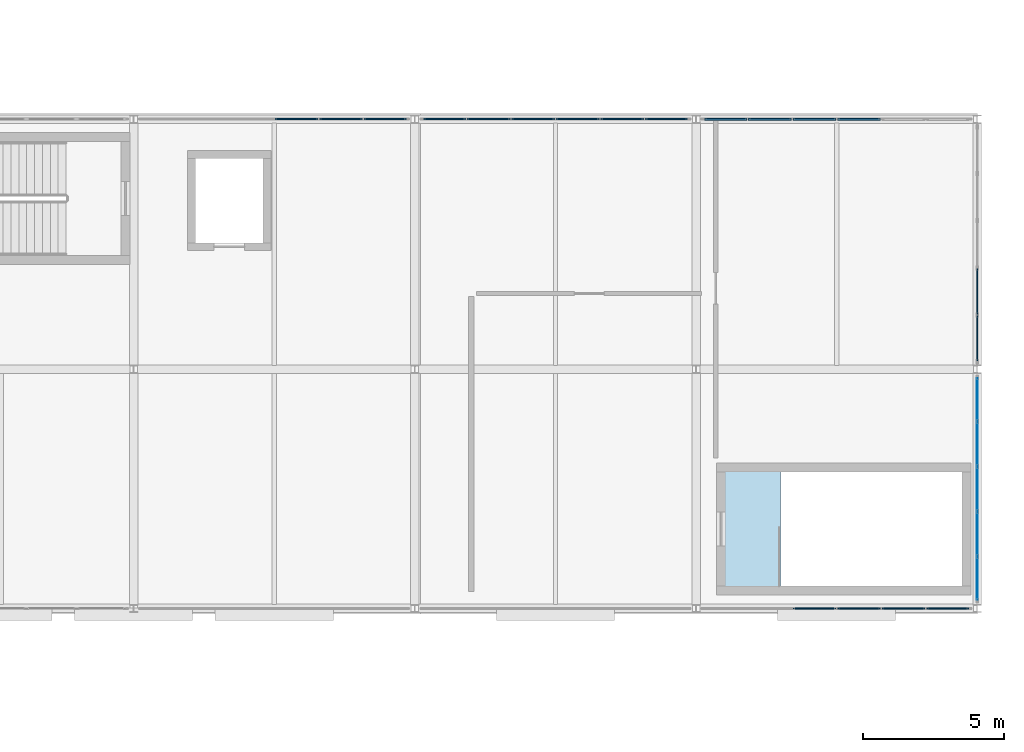
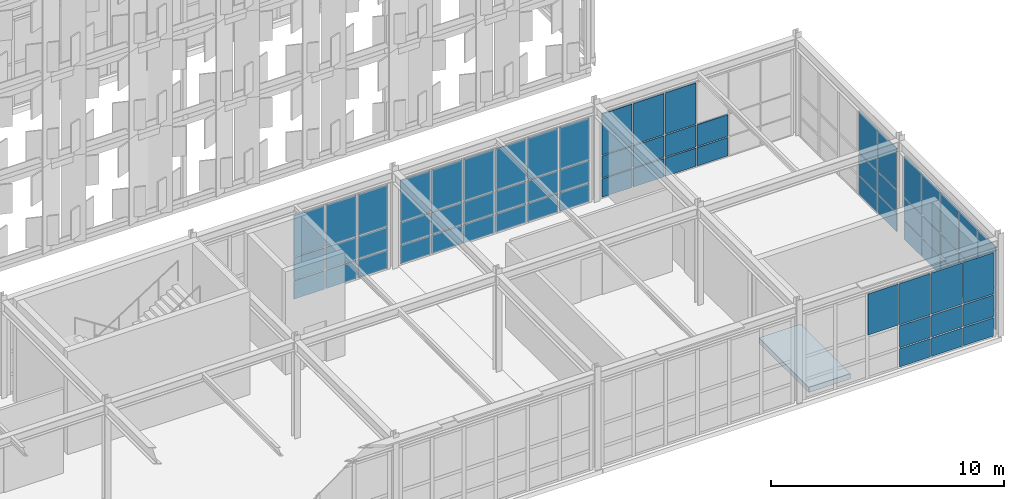
# One storey, part 193 of 239: 69 plates, 1 slab, 6 elements without a shape of their own.
"""IFC4 building model written with IfcOpenShell, lengths in metres."""

from ifc_helpers import new_model, si_unit, direction, frame, origin, origin_2d, place, context, subcontext, project, spatial, polyline, rectangle, outline, extrude, material, layer, layer_set, type_object, element, aggregate, save


model = new_model("IFC4")

# Units and contexts
model_context = context("Model", 3, precision=1e-05, world=origin(), true_north=direction((0.0, 1.0)))
body_context = subcontext(model_context, "Body", "Model", "MODEL_VIEW")
ifc_project = project(units=[si_unit("LENGTHUNIT", "METRE"), si_unit("AREAUNIT", "SQUARE_METRE"), si_unit("VOLUMEUNIT", "CUBIC_METRE"), si_unit("PLANEANGLEUNIT", "RADIAN"), si_unit("MASSUNIT", "GRAM", prefix="KILO")], contexts=[model_context])

# Site, building, storey
site_placement = place(None, origin())
site = spatial("IfcSite", under=ifc_project, at=site_placement, CompositionType="ELEMENT")
building_placement = place(site_placement, origin())
building = spatial("IfcBuilding", under=site, at=building_placement, Name="Kaldris Quays Convention Centre", CompositionType="ELEMENT")
storey_placement = place(building_placement, frame((0.0, 0.0, 11.39990234375)))
storey = spatial("IfcBuildingStorey", under=building, at=storey_placement, Name="L02", CompositionType="ELEMENT", Elevation=11.39990234375)

# Curtain wall, plates
ifc_material_1 = material(Name="Anodized aluminium AW-6060 and triple glazing", Category="aluminium")
curtain_wall_type = type_object("IfcCurtainWallType", Name="UNITISED CURTAIN WALL CW02", PredefinedType="NOTDEFINED", material=ifc_material_1)
curtain_wall_1_placement = place(storey_placement, origin())
curtain_wall_1 = element("IfcCurtainWall", 1, at=curtain_wall_1_placement, inside=storey, type_object=curtain_wall_type, Name="L02 Unitised Curtain Wall CW02 210", PredefinedType="NOTDEFINED")
ifc_material_2 = material(Name="Triple low-E insulated glazing", Category="glass")
plate_type_1 = type_object("IfcPlateType", Name="CURTAIN GLAZING PANEL CWP2", PredefinedType="CURTAIN_PANEL", material=ifc_material_2)
plate_1_placement = place(storey_placement, frame((204.0, 21.06494140625, 0.06005859375), z_axis=(0.0, 0.0, 1.0), x_axis=(0.0, 1.0, 0.0)))
plate_1 = element("IfcPlate", 2, at=plate_1_placement, type_object=plate_type_1, Name="CW02 panel 1.1", PredefinedType="CURTAIN_PANEL", context=body_context, shape_type="SweptSolid", body=[
    extrude(rectangle(XDim=1.510009765625, YDim=0.033935546875, at=origin_2d()), origin(), (0.0, 0.0, 1.0), 0.9599609375),
])
plate_2_placement = place(storey_placement, frame((204.0, 21.06494140625, 1.080078125), z_axis=(0.0, 0.0, 1.0), x_axis=(0.0, 1.0, 0.0)))
plate_2 = element("IfcPlate", 3, at=plate_2_placement, type_object=plate_type_1, Name="CW02 panel 1.2", PredefinedType="CURTAIN_PANEL", context=body_context, shape_type="SweptSolid", body=[
    extrude(rectangle(XDim=1.510009765625, YDim=0.033935546875, at=origin_2d()), origin(), (0.0, 0.0, 1.0), 1.138916015625),
])
plate_3_placement = place(storey_placement, frame((204.0, 21.06494140625, 2.279296875), z_axis=(0.0, 0.0, 1.0), x_axis=(0.0, 1.0, 0.0)))
plate_3 = element("IfcPlate", 4, at=plate_3_placement, type_object=plate_type_1, Name="CW02 panel 1.3", PredefinedType="CURTAIN_PANEL", context=body_context, shape_type="SweptSolid", body=[
    extrude(rectangle(XDim=1.510009765625, YDim=0.033935546875, at=origin_2d()), origin(), (0.0, 0.0, 1.0), 2.158935546875),
])
plate_4_placement = place(storey_placement, frame((204.0, 22.64990234375, 0.06005859375), z_axis=(0.0, 0.0, 1.0), x_axis=(0.0, 1.0, 0.0)))
plate_4 = element("IfcPlate", 5, at=plate_4_placement, type_object=plate_type_1, Name="CW02 panel 2.1", PredefinedType="CURTAIN_PANEL", context=body_context, shape_type="SweptSolid", body=[
    extrude(rectangle(XDim=1.5400390625, YDim=0.033935546875, at=origin_2d()), origin(), (0.0, 0.0, 1.0), 0.9599609375),
])
plate_5_placement = place(storey_placement, frame((204.0, 22.64990234375, 1.080078125), z_axis=(0.0, 0.0, 1.0), x_axis=(0.0, 1.0, 0.0)))
plate_5 = element("IfcPlate", 6, at=plate_5_placement, type_object=plate_type_1, Name="CW02 panel 2.2", PredefinedType="CURTAIN_PANEL", context=body_context, shape_type="SweptSolid", body=[
    extrude(rectangle(XDim=1.5400390625, YDim=0.033935546875, at=origin_2d()), origin(), (0.0, 0.0, 1.0), 1.138916015625),
])
plate_6_placement = place(storey_placement, frame((204.0, 22.64990234375, 2.279296875), z_axis=(0.0, 0.0, 1.0), x_axis=(0.0, 1.0, 0.0)))
plate_6 = element("IfcPlate", 7, at=plate_6_placement, type_object=plate_type_1, Name="CW02 panel 2.3", PredefinedType="CURTAIN_PANEL", context=body_context, shape_type="SweptSolid", body=[
    extrude(rectangle(XDim=1.5400390625, YDim=0.033935546875, at=origin_2d()), origin(), (0.0, 0.0, 1.0), 2.158935546875),
])
plate_7_placement = place(storey_placement, frame((204.0, 24.25, 0.06005859375), z_axis=(0.0, 0.0, 1.0), x_axis=(0.0, 1.0, 0.0)))
plate_7 = element("IfcPlate", 8, at=plate_7_placement, type_object=plate_type_1, Name="CW02 panel 3.1", PredefinedType="CURTAIN_PANEL", context=body_context, shape_type="SweptSolid", body=[
    extrude(rectangle(XDim=1.5400390625, YDim=0.033935546875, at=origin_2d()), origin(), (0.0, 0.0, 1.0), 0.9599609375),
])
plate_8_placement = place(storey_placement, frame((204.0, 24.25, 1.080078125), z_axis=(0.0, 0.0, 1.0), x_axis=(0.0, 1.0, 0.0)))
plate_8 = element("IfcPlate", 9, at=plate_8_placement, type_object=plate_type_1, Name="CW02 panel 3.2", PredefinedType="CURTAIN_PANEL", context=body_context, shape_type="SweptSolid", body=[
    extrude(rectangle(XDim=1.5400390625, YDim=0.033935546875, at=origin_2d()), origin(), (0.0, 0.0, 1.0), 1.138916015625),
])
plate_9_placement = place(storey_placement, frame((204.0, 24.25, 2.279296875), z_axis=(0.0, 0.0, 1.0), x_axis=(0.0, 1.0, 0.0)))
plate_9 = element("IfcPlate", 10, at=plate_9_placement, type_object=plate_type_1, Name="CW02 panel 3.3", PredefinedType="CURTAIN_PANEL", context=body_context, shape_type="SweptSolid", body=[
    extrude(rectangle(XDim=1.5400390625, YDim=0.033935546875, at=origin_2d()), origin(), (0.0, 0.0, 1.0), 2.158935546875),
])
plate_10_placement = place(storey_placement, frame((204.0, 25.85009765625, 0.06005859375), z_axis=(0.0, 0.0, 1.0), x_axis=(0.0, 1.0, 0.0)))
plate_10 = element("IfcPlate", 11, at=plate_10_placement, type_object=plate_type_1, Name="CW02 panel 4.1", PredefinedType="CURTAIN_PANEL", context=body_context, shape_type="SweptSolid", body=[
    extrude(rectangle(XDim=1.5400390625, YDim=0.033935546875, at=origin_2d()), origin(), (0.0, 0.0, 1.0), 0.9599609375),
])
plate_11_placement = place(storey_placement, frame((204.0, 25.85009765625, 1.080078125), z_axis=(0.0, 0.0, 1.0), x_axis=(0.0, 1.0, 0.0)))
plate_11 = element("IfcPlate", 12, at=plate_11_placement, type_object=plate_type_1, Name="CW02 panel 4.2", PredefinedType="CURTAIN_PANEL", context=body_context, shape_type="SweptSolid", body=[
    extrude(rectangle(XDim=1.5400390625, YDim=0.033935546875, at=origin_2d()), origin(), (0.0, 0.0, 1.0), 1.138916015625),
])
plate_12_placement = place(storey_placement, frame((204.0, 25.85009765625, 2.279296875), z_axis=(0.0, 0.0, 1.0), x_axis=(0.0, 1.0, 0.0)))
plate_12 = element("IfcPlate", 13, at=plate_12_placement, type_object=plate_type_1, Name="CW02 panel 4.3", PredefinedType="CURTAIN_PANEL", context=body_context, shape_type="SweptSolid", body=[
    extrude(rectangle(XDim=1.5400390625, YDim=0.033935546875, at=origin_2d()), origin(), (0.0, 0.0, 1.0), 2.158935546875),
])
plate_13_placement = place(storey_placement, frame((204.0, 27.43505859375, 0.06005859375), z_axis=(0.0, 0.0, 1.0), x_axis=(0.0, 1.0, 0.0)))
plate_13 = element("IfcPlate", 14, at=plate_13_placement, type_object=plate_type_1, Name="CW02 panel 5.1", PredefinedType="CURTAIN_PANEL", context=body_context, shape_type="SweptSolid", body=[
    extrude(rectangle(XDim=1.510009765625, YDim=0.033935546875, at=origin_2d()), origin(), (0.0, 0.0, 1.0), 0.9599609375),
])
plate_14_placement = place(storey_placement, frame((204.0, 27.43505859375, 1.080078125), z_axis=(0.0, 0.0, 1.0), x_axis=(0.0, 1.0, 0.0)))
plate_14 = element("IfcPlate", 15, at=plate_14_placement, type_object=plate_type_1, Name="CW02 panel 5.2", PredefinedType="CURTAIN_PANEL", context=body_context, shape_type="SweptSolid", body=[
    extrude(rectangle(XDim=1.510009765625, YDim=0.033935546875, at=origin_2d()), origin(), (0.0, 0.0, 1.0), 1.138916015625),
])
plate_15_placement = place(storey_placement, frame((204.0, 27.43505859375, 2.279296875), z_axis=(0.0, 0.0, 1.0), x_axis=(0.0, 1.0, 0.0)))
plate_15 = element("IfcPlate", 16, at=plate_15_placement, type_object=plate_type_1, Name="CW02 panel 5.3", PredefinedType="CURTAIN_PANEL", context=body_context, shape_type="SweptSolid", body=[
    extrude(rectangle(XDim=1.510009765625, YDim=0.033935546875, at=origin_2d()), origin(), (0.0, 0.0, 1.0), 2.158935546875),
])
aggregate(curtain_wall_1, [plate_1, plate_2, plate_3, plate_4, plate_5, plate_6, plate_7, plate_8, plate_9, plate_10, plate_11, plate_12, plate_13, plate_14, plate_15])

curtain_wall_2_placement = place(storey_placement, origin())
curtain_wall_2 = element("IfcCurtainWall", 17, at=curtain_wall_2_placement, inside=storey, type_object=curtain_wall_type, Name="L02 Unitised Curtain Wall CW02 204", PredefinedType="NOTDEFINED")
plate_type_2 = type_object("IfcPlateType", Name="CURTAIN GLAZING PANEL CWP4", PredefinedType="CURTAIN_PANEL", material=ifc_material_2)
plate_16_placement = place(storey_placement, frame((179.791748046875, 37.39990234375, 0.06005859375), z_axis=(0.0, 0.0, 1.0), x_axis=(1.0, 0.0, 0.0)))
plate_16 = element("IfcPlate", 18, at=plate_16_placement, type_object=plate_type_2, Name="CW02 panel 4.1", PredefinedType="CURTAIN_PANEL", context=body_context, shape_type="SweptSolid", body=[
    extrude(rectangle(XDim=1.5234375, YDim=0.0439453125, at=origin_2d()), origin(), (0.0, 0.0, 1.0), 0.9599609375),
])
plate_17_placement = place(storey_placement, frame((179.791748046875, 37.39990234375, 1.080078125), z_axis=(0.0, 0.0, 1.0), x_axis=(1.0, 0.0, 0.0)))
plate_17 = element("IfcPlate", 19, at=plate_17_placement, type_object=plate_type_2, Name="CW02 panel 4.2", PredefinedType="CURTAIN_PANEL", context=body_context, shape_type="SweptSolid", body=[
    extrude(rectangle(XDim=1.5234375, YDim=0.0439453125, at=origin_2d()), origin(), (0.0, 0.0, 1.0), 1.138916015625),
])
plate_18_placement = place(storey_placement, frame((179.791748046875, 37.39990234375, 2.279296875), z_axis=(0.0, 0.0, 1.0), x_axis=(1.0, 0.0, 0.0)))
plate_18 = element("IfcPlate", 20, at=plate_18_placement, type_object=plate_type_2, Name="CW02 panel 4.3", PredefinedType="CURTAIN_PANEL", context=body_context, shape_type="SweptSolid", body=[
    extrude(rectangle(XDim=1.5234375, YDim=0.0439453125, at=origin_2d()), origin(), (0.0, 0.0, 1.0), 2.158935546875),
])
plate_19_placement = place(storey_placement, frame((181.375, 37.39990234375, 0.06005859375), z_axis=(0.0, 0.0, 1.0), x_axis=(1.0, 0.0, 0.0)))
plate_19 = element("IfcPlate", 21, at=plate_19_placement, type_object=plate_type_2, Name="CW02 panel 5.1", PredefinedType="CURTAIN_PANEL", context=body_context, shape_type="SweptSolid", body=[
    extrude(rectangle(XDim=1.5234375, YDim=0.0439453125, at=origin_2d()), origin(), (0.0, 0.0, 1.0), 0.9599609375),
])
plate_20_placement = place(storey_placement, frame((181.375, 37.39990234375, 1.080078125), z_axis=(0.0, 0.0, 1.0), x_axis=(1.0, 0.0, 0.0)))
plate_20 = element("IfcPlate", 22, at=plate_20_placement, type_object=plate_type_2, Name="CW02 panel 5.2", PredefinedType="CURTAIN_PANEL", context=body_context, shape_type="SweptSolid", body=[
    extrude(rectangle(XDim=1.5234375, YDim=0.0439453125, at=origin_2d()), origin(), (0.0, 0.0, 1.0), 1.138916015625),
])
plate_21_placement = place(storey_placement, frame((181.375, 37.39990234375, 2.279296875), z_axis=(0.0, 0.0, 1.0), x_axis=(1.0, 0.0, 0.0)))
plate_21 = element("IfcPlate", 23, at=plate_21_placement, type_object=plate_type_2, Name="CW02 panel 5.3", PredefinedType="CURTAIN_PANEL", context=body_context, shape_type="SweptSolid", body=[
    extrude(rectangle(XDim=1.5234375, YDim=0.0439453125, at=origin_2d()), origin(), (0.0, 0.0, 1.0), 2.158935546875),
])
plate_22_placement = place(storey_placement, frame((182.943359375, 37.39990234375, 0.06005859375), z_axis=(0.0, 0.0, 1.0), x_axis=(1.0, 0.0, 0.0)))
plate_22 = element("IfcPlate", 24, at=plate_22_placement, type_object=plate_type_2, Name="CW02 panel 6.1", PredefinedType="CURTAIN_PANEL", context=body_context, shape_type="SweptSolid", body=[
    extrude(rectangle(XDim=1.493408203125, YDim=0.0439453125, at=origin_2d()), origin(), (0.0, 0.0, 1.0), 0.9599609375),
])
plate_23_placement = place(storey_placement, frame((182.943359375, 37.39990234375, 1.080078125), z_axis=(0.0, 0.0, 1.0), x_axis=(1.0, 0.0, 0.0)))
plate_23 = element("IfcPlate", 25, at=plate_23_placement, type_object=plate_type_2, Name="CW02 panel 6.2", PredefinedType="CURTAIN_PANEL", context=body_context, shape_type="SweptSolid", body=[
    extrude(rectangle(XDim=1.493408203125, YDim=0.0439453125, at=origin_2d()), origin(), (0.0, 0.0, 1.0), 1.138916015625),
])
plate_24_placement = place(storey_placement, frame((182.943359375, 37.39990234375, 2.279296875), z_axis=(0.0, 0.0, 1.0), x_axis=(1.0, 0.0, 0.0)))
plate_24 = element("IfcPlate", 26, at=plate_24_placement, type_object=plate_type_2, Name="CW02 panel 6.3", PredefinedType="CURTAIN_PANEL", context=body_context, shape_type="SweptSolid", body=[
    extrude(rectangle(XDim=1.493408203125, YDim=0.0439453125, at=origin_2d()), origin(), (0.0, 0.0, 1.0), 2.158935546875),
])
aggregate(curtain_wall_2, [plate_16, plate_17, plate_18, plate_19, plate_20, plate_21, plate_22, plate_23, plate_24])

curtain_wall_3_placement = place(storey_placement, origin())
curtain_wall_3 = element("IfcCurtainWall", 27, at=curtain_wall_3_placement, inside=storey, type_object=curtain_wall_type, Name="L02 Unitised Curtain Wall CW02 212", PredefinedType="NOTDEFINED")
plate_25_placement = place(storey_placement, frame((204.0, 29.60498046875, 0.06005859375), z_axis=(0.0, 0.0, 1.0), x_axis=(0.0, 1.0, 0.0)))
plate_25 = element("IfcPlate", 28, at=plate_25_placement, type_object=plate_type_2, Name="CW02 panel 1.1", PredefinedType="CURTAIN_PANEL", context=body_context, shape_type="SweptSolid", body=[
    extrude(rectangle(XDim=1.590087890625, YDim=0.0439453125, at=origin_2d()), origin(), (0.0, 0.0, 1.0), 0.9599609375),
])
plate_26_placement = place(storey_placement, frame((204.0, 29.60498046875, 1.080078125), z_axis=(0.0, 0.0, 1.0), x_axis=(0.0, 1.0, 0.0)))
plate_26 = element("IfcPlate", 29, at=plate_26_placement, type_object=plate_type_2, Name="CW02 panel 1.2", PredefinedType="CURTAIN_PANEL", context=body_context, shape_type="SweptSolid", body=[
    extrude(rectangle(XDim=1.590087890625, YDim=0.0439453125, at=origin_2d()), origin(), (0.0, 0.0, 1.0), 1.138916015625),
])
plate_27_placement = place(storey_placement, frame((204.0, 29.60498046875, 2.279296875), z_axis=(0.0, 0.0, 1.0), x_axis=(0.0, 1.0, 0.0)))
plate_27 = element("IfcPlate", 30, at=plate_27_placement, type_object=plate_type_2, Name="CW02 panel 1.3", PredefinedType="CURTAIN_PANEL", context=body_context, shape_type="SweptSolid", body=[
    extrude(rectangle(XDim=1.590087890625, YDim=0.0439453125, at=origin_2d()), origin(), (0.0, 0.0, 1.0), 2.158935546875),
])
plate_28_placement = place(storey_placement, frame((204.0, 31.27001953125, 0.06005859375), z_axis=(0.0, 0.0, 1.0), x_axis=(0.0, 1.0, 0.0)))
plate_28 = element("IfcPlate", 31, at=plate_28_placement, type_object=plate_type_2, Name="CW02 panel 2.1", PredefinedType="CURTAIN_PANEL", context=body_context, shape_type="SweptSolid", body=[
    extrude(rectangle(XDim=1.6201171875, YDim=0.0439453125, at=origin_2d()), origin(), (0.0, 0.0, 1.0), 0.9599609375),
])
plate_29_placement = place(storey_placement, frame((204.0, 31.27001953125, 1.080078125), z_axis=(0.0, 0.0, 1.0), x_axis=(0.0, 1.0, 0.0)))
plate_29 = element("IfcPlate", 32, at=plate_29_placement, type_object=plate_type_2, Name="CW02 panel 2.2", PredefinedType="CURTAIN_PANEL", context=body_context, shape_type="SweptSolid", body=[
    extrude(rectangle(XDim=1.6201171875, YDim=0.0439453125, at=origin_2d()), origin(), (0.0, 0.0, 1.0), 1.138916015625),
])
plate_30_placement = place(storey_placement, frame((204.0, 31.27001953125, 2.279296875), z_axis=(0.0, 0.0, 1.0), x_axis=(0.0, 1.0, 0.0)))
plate_30 = element("IfcPlate", 33, at=plate_30_placement, type_object=plate_type_2, Name="CW02 panel 2.3", PredefinedType="CURTAIN_PANEL", context=body_context, shape_type="SweptSolid", body=[
    extrude(rectangle(XDim=1.6201171875, YDim=0.0439453125, at=origin_2d()), origin(), (0.0, 0.0, 1.0), 2.158935546875),
])
aggregate(curtain_wall_3, [plate_25, plate_26, plate_27, plate_28, plate_29, plate_30])

curtain_wall_4_placement = place(storey_placement, origin())
curtain_wall_4 = element("IfcCurtainWall", 34, at=curtain_wall_4_placement, inside=storey, type_object=curtain_wall_type, Name="L02 Unitised Curtain Wall CW02 206", PredefinedType="NOTDEFINED")
plate_type_3 = type_object("IfcPlateType", Name="CURTAIN GLAZING PANEL CWP6", PredefinedType="CURTAIN_PANEL", material=ifc_material_2)
plate_31_placement = place(storey_placement, frame((185.056640625, 37.39990234375, 0.06005859375), z_axis=(0.0, 0.0, 1.0), x_axis=(1.0, 0.0, 0.0)))
plate_31 = element("IfcPlate", 35, at=plate_31_placement, type_object=plate_type_3, Name="CW02 panel 1.1", PredefinedType="CURTAIN_PANEL", context=body_context, shape_type="SweptSolid", body=[
    extrude(rectangle(XDim=1.493408203125, YDim=0.053955078125, at=origin_2d()), origin(), (0.0, 0.0, 1.0), 0.9599609375),
])
plate_32_placement = place(storey_placement, frame((185.056640625, 37.39990234375, 1.080078125), z_axis=(0.0, 0.0, 1.0), x_axis=(1.0, 0.0, 0.0)))
plate_32 = element("IfcPlate", 36, at=plate_32_placement, type_object=plate_type_3, Name="CW02 panel 1.2", PredefinedType="CURTAIN_PANEL", context=body_context, shape_type="SweptSolid", body=[
    extrude(rectangle(XDim=1.493408203125, YDim=0.053955078125, at=origin_2d()), origin(), (0.0, 0.0, 1.0), 1.138916015625),
])
plate_33_placement = place(storey_placement, frame((185.056640625, 37.39990234375, 2.279296875), z_axis=(0.0, 0.0, 1.0), x_axis=(1.0, 0.0, 0.0)))
plate_33 = element("IfcPlate", 37, at=plate_33_placement, type_object=plate_type_3, Name="CW02 panel 1.3", PredefinedType="CURTAIN_PANEL", context=body_context, shape_type="SweptSolid", body=[
    extrude(rectangle(XDim=1.493408203125, YDim=0.053955078125, at=origin_2d()), origin(), (0.0, 0.0, 1.0), 2.158935546875),
])
plate_34_placement = place(storey_placement, frame((186.625, 37.39990234375, 0.06005859375), z_axis=(0.0, 0.0, 1.0), x_axis=(1.0, 0.0, 0.0)))
plate_34 = element("IfcPlate", 38, at=plate_34_placement, type_object=plate_type_3, Name="CW02 panel 2.1", PredefinedType="CURTAIN_PANEL", context=body_context, shape_type="SweptSolid", body=[
    extrude(rectangle(XDim=1.5234375, YDim=0.053955078125, at=origin_2d()), origin(), (0.0, 0.0, 1.0), 0.9599609375),
])
plate_35_placement = place(storey_placement, frame((186.625, 37.39990234375, 1.080078125), z_axis=(0.0, 0.0, 1.0), x_axis=(1.0, 0.0, 0.0)))
plate_35 = element("IfcPlate", 39, at=plate_35_placement, type_object=plate_type_3, Name="CW02 panel 2.2", PredefinedType="CURTAIN_PANEL", context=body_context, shape_type="SweptSolid", body=[
    extrude(rectangle(XDim=1.5234375, YDim=0.053955078125, at=origin_2d()), origin(), (0.0, 0.0, 1.0), 1.138916015625),
])
plate_36_placement = place(storey_placement, frame((186.625, 37.39990234375, 2.279296875), z_axis=(0.0, 0.0, 1.0), x_axis=(1.0, 0.0, 0.0)))
plate_36 = element("IfcPlate", 40, at=plate_36_placement, type_object=plate_type_3, Name="CW02 panel 2.3", PredefinedType="CURTAIN_PANEL", context=body_context, shape_type="SweptSolid", body=[
    extrude(rectangle(XDim=1.5234375, YDim=0.053955078125, at=origin_2d()), origin(), (0.0, 0.0, 1.0), 2.158935546875),
])
plate_37_placement = place(storey_placement, frame((188.208251953125, 37.39990234375, 0.06005859375), z_axis=(0.0, 0.0, 1.0), x_axis=(1.0, 0.0, 0.0)))
plate_37 = element("IfcPlate", 41, at=plate_37_placement, type_object=plate_type_3, Name="CW02 panel 3.1", PredefinedType="CURTAIN_PANEL", context=body_context, shape_type="SweptSolid", body=[
    extrude(rectangle(XDim=1.5234375, YDim=0.053955078125, at=origin_2d()), origin(), (0.0, 0.0, 1.0), 0.9599609375),
])
plate_38_placement = place(storey_placement, frame((188.208251953125, 37.39990234375, 1.080078125), z_axis=(0.0, 0.0, 1.0), x_axis=(1.0, 0.0, 0.0)))
plate_38 = element("IfcPlate", 42, at=plate_38_placement, type_object=plate_type_3, Name="CW02 panel 3.2", PredefinedType="CURTAIN_PANEL", context=body_context, shape_type="SweptSolid", body=[
    extrude(rectangle(XDim=1.5234375, YDim=0.053955078125, at=origin_2d()), origin(), (0.0, 0.0, 1.0), 1.138916015625),
])
plate_39_placement = place(storey_placement, frame((188.208251953125, 37.39990234375, 2.279296875), z_axis=(0.0, 0.0, 1.0), x_axis=(1.0, 0.0, 0.0)))
plate_39 = element("IfcPlate", 43, at=plate_39_placement, type_object=plate_type_3, Name="CW02 panel 3.3", PredefinedType="CURTAIN_PANEL", context=body_context, shape_type="SweptSolid", body=[
    extrude(rectangle(XDim=1.5234375, YDim=0.053955078125, at=origin_2d()), origin(), (0.0, 0.0, 1.0), 2.158935546875),
])
plate_40_placement = place(storey_placement, frame((189.791748046875, 37.39990234375, 0.06005859375), z_axis=(0.0, 0.0, 1.0), x_axis=(1.0, 0.0, 0.0)))
plate_40 = element("IfcPlate", 44, at=plate_40_placement, type_object=plate_type_3, Name="CW02 panel 4.1", PredefinedType="CURTAIN_PANEL", context=body_context, shape_type="SweptSolid", body=[
    extrude(rectangle(XDim=1.5234375, YDim=0.053955078125, at=origin_2d()), origin(), (0.0, 0.0, 1.0), 0.9599609375),
])
plate_41_placement = place(storey_placement, frame((189.791748046875, 37.39990234375, 1.080078125), z_axis=(0.0, 0.0, 1.0), x_axis=(1.0, 0.0, 0.0)))
plate_41 = element("IfcPlate", 45, at=plate_41_placement, type_object=plate_type_3, Name="CW02 panel 4.2", PredefinedType="CURTAIN_PANEL", context=body_context, shape_type="SweptSolid", body=[
    extrude(rectangle(XDim=1.5234375, YDim=0.053955078125, at=origin_2d()), origin(), (0.0, 0.0, 1.0), 1.138916015625),
])
plate_42_placement = place(storey_placement, frame((189.791748046875, 37.39990234375, 2.279296875), z_axis=(0.0, 0.0, 1.0), x_axis=(1.0, 0.0, 0.0)))
plate_42 = element("IfcPlate", 46, at=plate_42_placement, type_object=plate_type_3, Name="CW02 panel 4.3", PredefinedType="CURTAIN_PANEL", context=body_context, shape_type="SweptSolid", body=[
    extrude(rectangle(XDim=1.5234375, YDim=0.053955078125, at=origin_2d()), origin(), (0.0, 0.0, 1.0), 2.158935546875),
])
plate_43_placement = place(storey_placement, frame((191.375, 37.39990234375, 0.06005859375), z_axis=(0.0, 0.0, 1.0), x_axis=(1.0, 0.0, 0.0)))
plate_43 = element("IfcPlate", 47, at=plate_43_placement, type_object=plate_type_3, Name="CW02 panel 5.1", PredefinedType="CURTAIN_PANEL", context=body_context, shape_type="SweptSolid", body=[
    extrude(rectangle(XDim=1.5234375, YDim=0.053955078125, at=origin_2d()), origin(), (0.0, 0.0, 1.0), 0.9599609375),
])
plate_44_placement = place(storey_placement, frame((191.375, 37.39990234375, 1.080078125), z_axis=(0.0, 0.0, 1.0), x_axis=(1.0, 0.0, 0.0)))
plate_44 = element("IfcPlate", 48, at=plate_44_placement, type_object=plate_type_3, Name="CW02 panel 5.2", PredefinedType="CURTAIN_PANEL", context=body_context, shape_type="SweptSolid", body=[
    extrude(rectangle(XDim=1.5234375, YDim=0.053955078125, at=origin_2d()), origin(), (0.0, 0.0, 1.0), 1.138916015625),
])
plate_45_placement = place(storey_placement, frame((191.375, 37.39990234375, 2.279296875), z_axis=(0.0, 0.0, 1.0), x_axis=(1.0, 0.0, 0.0)))
plate_45 = element("IfcPlate", 49, at=plate_45_placement, type_object=plate_type_3, Name="CW02 panel 5.3", PredefinedType="CURTAIN_PANEL", context=body_context, shape_type="SweptSolid", body=[
    extrude(rectangle(XDim=1.5234375, YDim=0.053955078125, at=origin_2d()), origin(), (0.0, 0.0, 1.0), 2.158935546875),
])
plate_46_placement = place(storey_placement, frame((192.943359375, 37.39990234375, 0.06005859375), z_axis=(0.0, 0.0, 1.0), x_axis=(1.0, 0.0, 0.0)))
plate_46 = element("IfcPlate", 50, at=plate_46_placement, type_object=plate_type_3, Name="CW02 panel 6.1", PredefinedType="CURTAIN_PANEL", context=body_context, shape_type="SweptSolid", body=[
    extrude(rectangle(XDim=1.493408203125, YDim=0.053955078125, at=origin_2d()), origin(), (0.0, 0.0, 1.0), 0.9599609375),
])
plate_47_placement = place(storey_placement, frame((192.943359375, 37.39990234375, 1.080078125), z_axis=(0.0, 0.0, 1.0), x_axis=(1.0, 0.0, 0.0)))
plate_47 = element("IfcPlate", 51, at=plate_47_placement, type_object=plate_type_3, Name="CW02 panel 6.2", PredefinedType="CURTAIN_PANEL", context=body_context, shape_type="SweptSolid", body=[
    extrude(rectangle(XDim=1.493408203125, YDim=0.053955078125, at=origin_2d()), origin(), (0.0, 0.0, 1.0), 1.138916015625),
])
plate_48_placement = place(storey_placement, frame((192.943359375, 37.39990234375, 2.279296875), z_axis=(0.0, 0.0, 1.0), x_axis=(1.0, 0.0, 0.0)))
plate_48 = element("IfcPlate", 52, at=plate_48_placement, type_object=plate_type_3, Name="CW02 panel 6.3", PredefinedType="CURTAIN_PANEL", context=body_context, shape_type="SweptSolid", body=[
    extrude(rectangle(XDim=1.493408203125, YDim=0.053955078125, at=origin_2d()), origin(), (0.0, 0.0, 1.0), 2.158935546875),
])
aggregate(curtain_wall_4, [plate_31, plate_32, plate_33, plate_34, plate_35, plate_36, plate_37, plate_38, plate_39, plate_40, plate_41, plate_42, plate_43, plate_44, plate_45, plate_46, plate_47, plate_48])

curtain_wall_5_placement = place(storey_placement, origin())
curtain_wall_5 = element("IfcCurtainWall", 53, at=curtain_wall_5_placement, inside=storey, type_object=curtain_wall_type, Name="L02 Unitised Curtain Wall CW02 207", PredefinedType="NOTDEFINED")
plate_type_4 = type_object("IfcPlateType", Name="CURTAIN GLAZING PANEL CWP7", PredefinedType="CURTAIN_PANEL", material=ifc_material_2)
plate_49_placement = place(storey_placement, frame((198.208251953125, 20.0, 2.279296875), z_axis=(0.0, 0.0, 1.0), x_axis=(1.0, 0.0, 0.0)))
plate_49 = element("IfcPlate", 54, at=plate_49_placement, type_object=plate_type_4, Name="CW02 panel 3.3", PredefinedType="CURTAIN_PANEL", context=body_context, shape_type="SweptSolid", body=[
    extrude(rectangle(XDim=1.5234375, YDim=0.05908203125, at=origin_2d()), origin(), (0.0, 0.0, 1.0), 2.158935546875),
])
plate_50_placement = place(storey_placement, frame((199.791748046875, 20.0, 0.06005859375), z_axis=(0.0, 0.0, 1.0), x_axis=(1.0, 0.0, 0.0)))
plate_50 = element("IfcPlate", 55, at=plate_50_placement, type_object=plate_type_4, Name="CW02 panel 4.1", PredefinedType="CURTAIN_PANEL", context=body_context, shape_type="SweptSolid", body=[
    extrude(rectangle(XDim=1.5234375, YDim=0.05908203125, at=origin_2d()), origin(), (0.0, 0.0, 1.0), 0.9599609375),
])
plate_51_placement = place(storey_placement, frame((199.791748046875, 20.0, 1.080078125), z_axis=(0.0, 0.0, 1.0), x_axis=(1.0, 0.0, 0.0)))
plate_51 = element("IfcPlate", 56, at=plate_51_placement, type_object=plate_type_4, Name="CW02 panel 4.2", PredefinedType="CURTAIN_PANEL", context=body_context, shape_type="SweptSolid", body=[
    extrude(rectangle(XDim=1.5234375, YDim=0.05908203125, at=origin_2d()), origin(), (0.0, 0.0, 1.0), 1.138916015625),
])
plate_52_placement = place(storey_placement, frame((199.791748046875, 20.0, 2.279296875), z_axis=(0.0, 0.0, 1.0), x_axis=(1.0, 0.0, 0.0)))
plate_52 = element("IfcPlate", 57, at=plate_52_placement, type_object=plate_type_4, Name="CW02 panel 4.3", PredefinedType="CURTAIN_PANEL", context=body_context, shape_type="SweptSolid", body=[
    extrude(rectangle(XDim=1.5234375, YDim=0.05908203125, at=origin_2d()), origin(), (0.0, 0.0, 1.0), 2.158935546875),
])
plate_53_placement = place(storey_placement, frame((201.375, 20.0, 0.06005859375), z_axis=(0.0, 0.0, 1.0), x_axis=(1.0, 0.0, 0.0)))
plate_53 = element("IfcPlate", 58, at=plate_53_placement, type_object=plate_type_4, Name="CW02 panel 5.1", PredefinedType="CURTAIN_PANEL", context=body_context, shape_type="SweptSolid", body=[
    extrude(rectangle(XDim=1.5234375, YDim=0.05908203125, at=origin_2d()), origin(), (0.0, 0.0, 1.0), 0.9599609375),
])
plate_54_placement = place(storey_placement, frame((201.375, 20.0, 1.080078125), z_axis=(0.0, 0.0, 1.0), x_axis=(1.0, 0.0, 0.0)))
plate_54 = element("IfcPlate", 59, at=plate_54_placement, type_object=plate_type_4, Name="CW02 panel 5.2", PredefinedType="CURTAIN_PANEL", context=body_context, shape_type="SweptSolid", body=[
    extrude(rectangle(XDim=1.5234375, YDim=0.05908203125, at=origin_2d()), origin(), (0.0, 0.0, 1.0), 1.138916015625),
])
plate_55_placement = place(storey_placement, frame((201.375, 20.0, 2.279296875), z_axis=(0.0, 0.0, 1.0), x_axis=(1.0, 0.0, 0.0)))
plate_55 = element("IfcPlate", 60, at=plate_55_placement, type_object=plate_type_4, Name="CW02 panel 5.3", PredefinedType="CURTAIN_PANEL", context=body_context, shape_type="SweptSolid", body=[
    extrude(rectangle(XDim=1.5234375, YDim=0.05908203125, at=origin_2d()), origin(), (0.0, 0.0, 1.0), 2.158935546875),
])
plate_56_placement = place(storey_placement, frame((202.943359375, 20.0, 0.06005859375), z_axis=(0.0, 0.0, 1.0), x_axis=(1.0, 0.0, 0.0)))
plate_56 = element("IfcPlate", 61, at=plate_56_placement, type_object=plate_type_4, Name="CW02 panel 6.1", PredefinedType="CURTAIN_PANEL", context=body_context, shape_type="SweptSolid", body=[
    extrude(rectangle(XDim=1.493408203125, YDim=0.05908203125, at=origin_2d()), origin(), (0.0, 0.0, 1.0), 0.9599609375),
])
plate_57_placement = place(storey_placement, frame((202.943359375, 20.0, 1.080078125), z_axis=(0.0, 0.0, 1.0), x_axis=(1.0, 0.0, 0.0)))
plate_57 = element("IfcPlate", 62, at=plate_57_placement, type_object=plate_type_4, Name="CW02 panel 6.2", PredefinedType="CURTAIN_PANEL", context=body_context, shape_type="SweptSolid", body=[
    extrude(rectangle(XDim=1.493408203125, YDim=0.05908203125, at=origin_2d()), origin(), (0.0, 0.0, 1.0), 1.138916015625),
])
plate_58_placement = place(storey_placement, frame((202.943359375, 20.0, 2.279296875), z_axis=(0.0, 0.0, 1.0), x_axis=(1.0, 0.0, 0.0)))
plate_58 = element("IfcPlate", 63, at=plate_58_placement, type_object=plate_type_4, Name="CW02 panel 6.3", PredefinedType="CURTAIN_PANEL", context=body_context, shape_type="SweptSolid", body=[
    extrude(rectangle(XDim=1.493408203125, YDim=0.05908203125, at=origin_2d()), origin(), (0.0, 0.0, 1.0), 2.158935546875),
])
aggregate(curtain_wall_5, [plate_49, plate_50, plate_51, plate_52, plate_53, plate_54, plate_55, plate_56, plate_57, plate_58])

curtain_wall_6_placement = place(storey_placement, origin())
curtain_wall_6 = element("IfcCurtainWall", 64, at=curtain_wall_6_placement, inside=storey, type_object=curtain_wall_type, Name="L02 Unitised Curtain Wall CW02 208", PredefinedType="NOTDEFINED")
plate_type_5 = type_object("IfcPlateType", Name="CURTAIN GLAZING PANEL CWP8", PredefinedType="CURTAIN_PANEL", material=ifc_material_2)
plate_59_placement = place(storey_placement, frame((195.056640625, 37.39990234375, 0.06005859375), z_axis=(0.0, 0.0, 1.0), x_axis=(1.0, 0.0, 0.0)))
plate_59 = element("IfcPlate", 65, at=plate_59_placement, type_object=plate_type_5, Name="CW02 panel 1.1", PredefinedType="CURTAIN_PANEL", context=body_context, shape_type="SweptSolid", body=[
    extrude(rectangle(XDim=1.493408203125, YDim=0.06396484375, at=origin_2d()), origin(), (0.0, 0.0, 1.0), 0.9599609375),
])
plate_60_placement = place(storey_placement, frame((195.056640625, 37.39990234375, 1.080078125), z_axis=(0.0, 0.0, 1.0), x_axis=(1.0, 0.0, 0.0)))
plate_60 = element("IfcPlate", 66, at=plate_60_placement, type_object=plate_type_5, Name="CW02 panel 1.2", PredefinedType="CURTAIN_PANEL", context=body_context, shape_type="SweptSolid", body=[
    extrude(rectangle(XDim=1.493408203125, YDim=0.06396484375, at=origin_2d()), origin(), (0.0, 0.0, 1.0), 1.138916015625),
])
plate_61_placement = place(storey_placement, frame((195.056640625, 37.39990234375, 2.279296875), z_axis=(0.0, 0.0, 1.0), x_axis=(1.0, 0.0, 0.0)))
plate_61 = element("IfcPlate", 67, at=plate_61_placement, type_object=plate_type_5, Name="CW02 panel 1.3", PredefinedType="CURTAIN_PANEL", context=body_context, shape_type="SweptSolid", body=[
    extrude(rectangle(XDim=1.493408203125, YDim=0.06396484375, at=origin_2d()), origin(), (0.0, 0.0, 1.0), 2.158935546875),
])
plate_62_placement = place(storey_placement, frame((196.625, 37.39990234375, 0.06005859375), z_axis=(0.0, 0.0, 1.0), x_axis=(1.0, 0.0, 0.0)))
plate_62 = element("IfcPlate", 68, at=plate_62_placement, type_object=plate_type_5, Name="CW02 panel 2.1", PredefinedType="CURTAIN_PANEL", context=body_context, shape_type="SweptSolid", body=[
    extrude(rectangle(XDim=1.5234375, YDim=0.06396484375, at=origin_2d()), origin(), (0.0, 0.0, 1.0), 0.9599609375),
])
plate_63_placement = place(storey_placement, frame((196.625, 37.39990234375, 1.080078125), z_axis=(0.0, 0.0, 1.0), x_axis=(1.0, 0.0, 0.0)))
plate_63 = element("IfcPlate", 69, at=plate_63_placement, type_object=plate_type_5, Name="CW02 panel 2.2", PredefinedType="CURTAIN_PANEL", context=body_context, shape_type="SweptSolid", body=[
    extrude(rectangle(XDim=1.5234375, YDim=0.06396484375, at=origin_2d()), origin(), (0.0, 0.0, 1.0), 1.138916015625),
])
plate_64_placement = place(storey_placement, frame((196.625, 37.39990234375, 2.279296875), z_axis=(0.0, 0.0, 1.0), x_axis=(1.0, 0.0, 0.0)))
plate_64 = element("IfcPlate", 70, at=plate_64_placement, type_object=plate_type_5, Name="CW02 panel 2.3", PredefinedType="CURTAIN_PANEL", context=body_context, shape_type="SweptSolid", body=[
    extrude(rectangle(XDim=1.5234375, YDim=0.06396484375, at=origin_2d()), origin(), (0.0, 0.0, 1.0), 2.158935546875),
])
plate_65_placement = place(storey_placement, frame((198.208251953125, 37.39990234375, 0.06005859375), z_axis=(0.0, 0.0, 1.0), x_axis=(1.0, 0.0, 0.0)))
plate_65 = element("IfcPlate", 71, at=plate_65_placement, type_object=plate_type_5, Name="CW02 panel 3.1", PredefinedType="CURTAIN_PANEL", context=body_context, shape_type="SweptSolid", body=[
    extrude(rectangle(XDim=1.5234375, YDim=0.06396484375, at=origin_2d()), origin(), (0.0, 0.0, 1.0), 0.9599609375),
])
plate_66_placement = place(storey_placement, frame((198.208251953125, 37.39990234375, 1.080078125), z_axis=(0.0, 0.0, 1.0), x_axis=(1.0, 0.0, 0.0)))
plate_66 = element("IfcPlate", 72, at=plate_66_placement, type_object=plate_type_5, Name="CW02 panel 3.2", PredefinedType="CURTAIN_PANEL", context=body_context, shape_type="SweptSolid", body=[
    extrude(rectangle(XDim=1.5234375, YDim=0.06396484375, at=origin_2d()), origin(), (0.0, 0.0, 1.0), 1.138916015625),
])
plate_67_placement = place(storey_placement, frame((198.208251953125, 37.39990234375, 2.279296875), z_axis=(0.0, 0.0, 1.0), x_axis=(1.0, 0.0, 0.0)))
plate_67 = element("IfcPlate", 73, at=plate_67_placement, type_object=plate_type_5, Name="CW02 panel 3.3", PredefinedType="CURTAIN_PANEL", context=body_context, shape_type="SweptSolid", body=[
    extrude(rectangle(XDim=1.5234375, YDim=0.06396484375, at=origin_2d()), origin(), (0.0, 0.0, 1.0), 2.158935546875),
])
plate_68_placement = place(storey_placement, frame((199.791748046875, 37.39990234375, 0.06005859375), z_axis=(0.0, 0.0, 1.0), x_axis=(1.0, 0.0, 0.0)))
plate_68 = element("IfcPlate", 74, at=plate_68_placement, type_object=plate_type_5, Name="CW02 panel 4.1", PredefinedType="CURTAIN_PANEL", context=body_context, shape_type="SweptSolid", body=[
    extrude(rectangle(XDim=1.5234375, YDim=0.06396484375, at=origin_2d()), origin(), (0.0, 0.0, 1.0), 0.9599609375),
])
plate_69_placement = place(storey_placement, frame((199.791748046875, 37.39990234375, 1.080078125), z_axis=(0.0, 0.0, 1.0), x_axis=(1.0, 0.0, 0.0)))
plate_69 = element("IfcPlate", 75, at=plate_69_placement, type_object=plate_type_5, Name="CW02 panel 4.2", PredefinedType="CURTAIN_PANEL", context=body_context, shape_type="SweptSolid", body=[
    extrude(rectangle(XDim=1.5234375, YDim=0.06396484375, at=origin_2d()), origin(), (0.0, 0.0, 1.0), 1.138916015625),
])
aggregate(curtain_wall_6, [plate_59, plate_60, plate_61, plate_62, plate_63, plate_64, plate_65, plate_66, plate_67, plate_68, plate_69])

# Slab
ifc_material_3 = material(Name="Concrete C35/45", Category="concrete")
ifc_layer = layer(ifc_material_3, 0.27490234375)
ifc_layer_set = layer_set([ifc_layer], Name="Concrete C35/45")
slab_type = type_object("IfcSlabType", Name="STRUCTURAL SLAB FS05", PredefinedType="FLOOR", material=ifc_layer_set)
slab_placement = place(storey_placement, frame((0.0, 0.0, -0.27490234375)))
element("IfcSlab", 76, at=slab_placement, inside=storey, type_object=slab_type, Name="L02 ST16 Core Floor Landing Slab", PredefinedType="FLOOR", context=body_context, shape_type="SweptSolid", body=[
    extrude(outline(polyline([(194.929931640625, 20.679931640625), (197.0, 20.679931640625), (197.0, 24.969970703125), (194.929931640625, 24.969970703125), (194.929931640625, 20.679931640625)])), origin(), (0.0, 0.0, 1.0), 0.27490234375),
])

save(model, "model.ifc")
